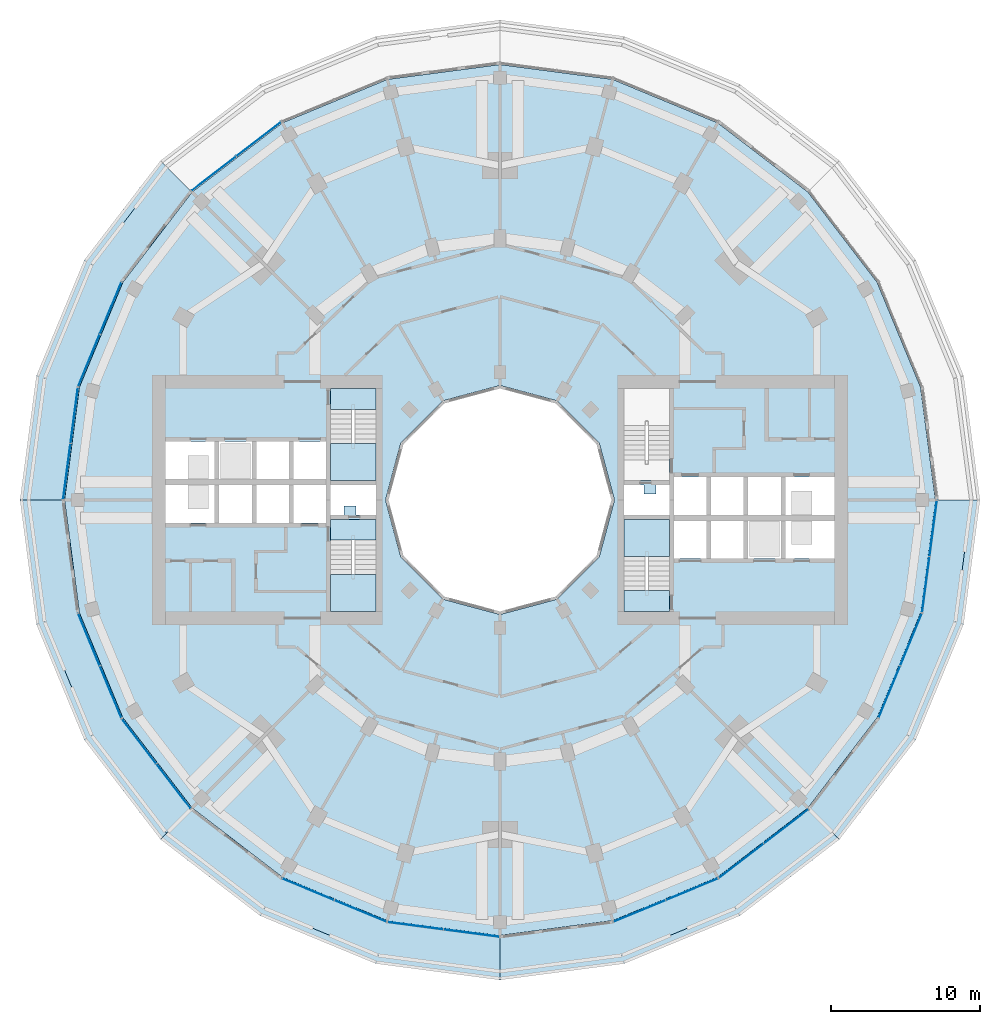
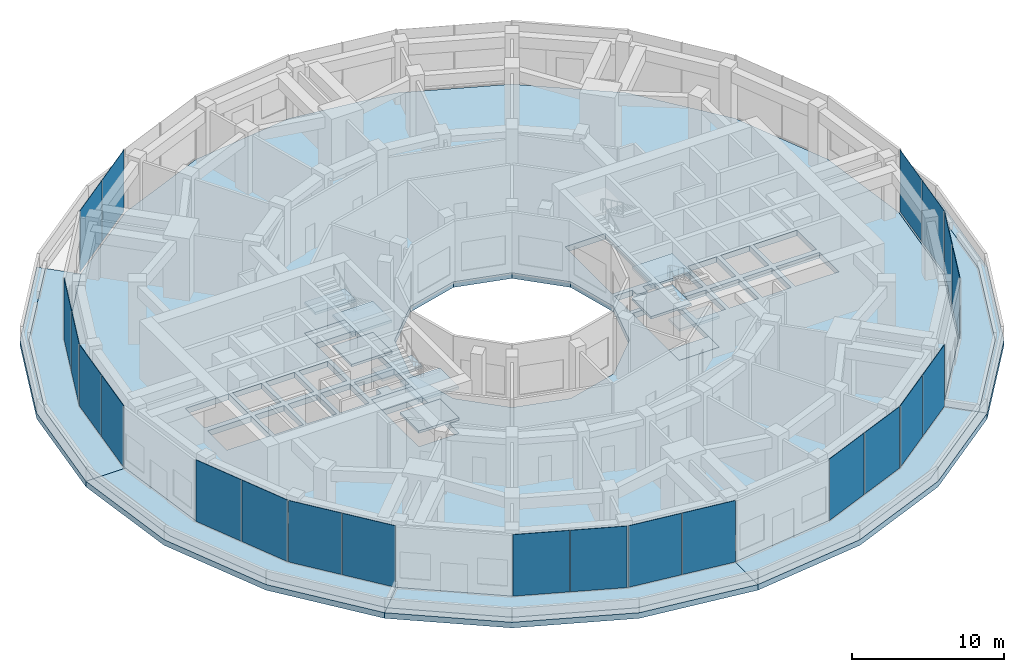
# One storey, part 10 of 19: 23 slabs, 22 plates, 14 elements without a shape of their own.
"""IFC4 building model written with IfcOpenShell, lengths in metres."""

from ifc_helpers import new_model, si_unit, direction, frame, origin, origin_2d, place, context, subcontext, project, spatial, polyline, rectangle, outline, extrude, material, layer, layer_set, type_object, element, aggregate, save


model = new_model("IFC4")

# Units and contexts
model_context = context("Model", 3, precision=1e-05, world=origin(), true_north=direction((0.0, 1.0)))
body_context = subcontext(model_context, "Body", "Model", "MODEL_VIEW")
ifc_project = project(units=[si_unit("LENGTHUNIT", "METRE"), si_unit("AREAUNIT", "SQUARE_METRE"), si_unit("VOLUMEUNIT", "CUBIC_METRE"), si_unit("PLANEANGLEUNIT", "RADIAN"), si_unit("MASSUNIT", "GRAM", prefix="KILO")], contexts=[model_context])

# Site, building, storey
site_placement = place(None, origin())
site = spatial("IfcSite", under=ifc_project, at=site_placement, CompositionType="ELEMENT")
building_placement = place(site_placement, origin())
building = spatial("IfcBuilding", under=site, at=building_placement, Name="Torre Brocal", CompositionType="ELEMENT")
storey_placement = place(building_placement, frame((0.0, 0.0, 23.800048828125)))
storey = spatial("IfcBuildingStorey", under=building, at=storey_placement, Name="L04", CompositionType="ELEMENT", Elevation=23.800048828125)

# Curtain wall, plates
ifc_material_1 = material(Name="Aluminium and glass", Category="aluminium")
ifc_layer_1 = layer(ifc_material_1, 0.199951171875)
ifc_layer_set_1 = layer_set([ifc_layer_1], Name="Aluminium and glass")
curtain_wall_type = type_object("IfcCurtainWallType", Name="CW-6 CURTAIN WALL 5000 HIGH", PredefinedType="NOTDEFINED", material=ifc_layer_set_1)
curtain_wall_1_placement = place(storey_placement, origin())
curtain_wall_1 = element("IfcCurtainWall", 1, at=curtain_wall_1_placement, inside=storey, type_object=curtain_wall_type, Name="CW-6 RUN 9", PredefinedType="NOTDEFINED")
ifc_material_2 = material(Name="Glass, dark tinted laminated", Category="glass")
ifc_layer_2 = layer(ifc_material_2, 0.028076171875)
ifc_layer_set_2 = layer_set([ifc_layer_2], Name="Glass, dark tinted laminated")
plate_type = type_object("IfcPlateType", Name="CW-6 GLASS PANEL 28", PredefinedType="CURTAIN_PANEL", material=ifc_layer_set_2)
plate_1_placement = place(storey_placement, frame((63.768310546875, 99.28466796875, 0.06982421875), z_axis=(0.0, 0.0, 1.0), x_axis=(-0.793353340291, -0.608761429009, 0.0)))
plate_1 = element("IfcPlate", 2, at=plate_1_placement, type_object=plate_type, Name="CW6-3 panel 1.1", PredefinedType="CURTAIN_PANEL", context=body_context, shape_type="SweptSolid", body=[
    extrude(rectangle(XDim=3.762451171875, YDim=0.028076171875, at=origin_2d()), origin(), (0.0, 0.0, 1.0), 4.929931640625),
])
plate_2_placement = place(storey_placement, frame((60.743896484375, 96.9638671875, 0.06982421875), z_axis=(0.0, 0.0, 1.0), x_axis=(-0.793353340291, -0.608761429009, 0.0)))
plate_2 = element("IfcPlate", 3, at=plate_2_placement, type_object=plate_type, Name="CW6-3 panel 2.1", PredefinedType="CURTAIN_PANEL", context=body_context, shape_type="SweptSolid", body=[
    extrude(rectangle(XDim=3.762451171875, YDim=0.028076171875, at=origin_2d()), origin(), (0.0, 0.0, 1.0), 4.929931640625),
])
aggregate(curtain_wall_1, [plate_1, plate_2])

curtain_wall_2_placement = place(storey_placement, origin())
curtain_wall_2 = element("IfcCurtainWall", 4, at=curtain_wall_2_placement, inside=storey, type_object=curtain_wall_type, Name="CW-6 RUN 11", PredefinedType="NOTDEFINED")
plate_3_placement = place(storey_placement, frame((53.800537109375, 87.915283203125, 0.06982421875), z_axis=(0.0, 0.0, 1.0), x_axis=(-0.382683432365, -0.923879532511, 0.0)))
plate_3 = element("IfcPlate", 5, at=plate_3_placement, type_object=plate_type, Name="CW6-3 panel 1.1", PredefinedType="CURTAIN_PANEL", context=body_context, shape_type="SweptSolid", body=[
    extrude(rectangle(XDim=3.762451171875, YDim=0.028076171875, at=origin_2d()), origin(), (0.0, 0.0, 1.0), 4.929931640625),
])
plate_4_placement = place(storey_placement, frame((52.341552734375, 84.393310546875, 0.06982421875), z_axis=(0.0, 0.0, 1.0), x_axis=(-0.382683432365, -0.923879532511, 0.0)))
plate_4 = element("IfcPlate", 6, at=plate_4_placement, type_object=plate_type, Name="CW6-3 panel 2.1", PredefinedType="CURTAIN_PANEL", context=body_context, shape_type="SweptSolid", body=[
    extrude(rectangle(XDim=3.762451171875, YDim=0.028076171875, at=origin_2d()), origin(), (0.0, 0.0, 1.0), 4.929931640625),
])
aggregate(curtain_wall_2, [plate_3, plate_4])

curtain_wall_3_placement = place(storey_placement, origin())
curtain_wall_3 = element("IfcCurtainWall", 7, at=curtain_wall_3_placement, inside=storey, type_object=curtain_wall_type, Name="CW-6 RUN 12", PredefinedType="NOTDEFINED")
plate_5_placement = place(storey_placement, frame((51.3505859375, 80.6943359375, 0.06982421875), z_axis=(0.0, 0.0, 1.0), x_axis=(-0.130526192272, -0.991444861367, 0.0)))
plate_5 = element("IfcPlate", 8, at=plate_5_placement, type_object=plate_type, Name="CW6-3 panel 1.1", PredefinedType="CURTAIN_PANEL", context=body_context, shape_type="SweptSolid", body=[
    extrude(rectangle(XDim=3.762451171875, YDim=0.028076171875, at=origin_2d()), origin(), (0.0, 0.0, 1.0), 4.929931640625),
])
plate_6_placement = place(storey_placement, frame((50.85302734375, 76.91455078125, 0.06982421875), z_axis=(0.0, 0.0, 1.0), x_axis=(-0.130526192272, -0.991444861367, 0.0)))
plate_6 = element("IfcPlate", 9, at=plate_6_placement, type_object=plate_type, Name="CW6-3 panel 2.1", PredefinedType="CURTAIN_PANEL", context=body_context, shape_type="SweptSolid", body=[
    extrude(rectangle(XDim=3.762451171875, YDim=0.028076171875, at=origin_2d()), origin(), (0.0, 0.0, 1.0), 4.929931640625),
])
aggregate(curtain_wall_3, [plate_5, plate_6])

curtain_wall_4_placement = place(storey_placement, origin())
curtain_wall_4 = element("IfcCurtainWall", 10, at=curtain_wall_4_placement, inside=storey, type_object=curtain_wall_type, Name="CW-6 RUN 14", PredefinedType="NOTDEFINED")
plate_7_placement = place(storey_placement, frame((52.341552734375, 65.606689453125, 0.06982421875), z_axis=(0.0, 0.0, 1.0), x_axis=(0.382683432365, -0.923879532511, 0.0)))
plate_7 = element("IfcPlate", 11, at=plate_7_placement, type_object=plate_type, Name="CW6-3 panel 1.1", PredefinedType="CURTAIN_PANEL", context=body_context, shape_type="SweptSolid", body=[
    extrude(rectangle(XDim=3.762451171875, YDim=0.028076171875, at=origin_2d()), origin(), (0.0, 0.0, 1.0), 4.929931640625),
])
plate_8_placement = place(storey_placement, frame((53.800537109375, 62.084716796875, 0.06982421875), z_axis=(0.0, 0.0, 1.0), x_axis=(0.382683432365, -0.923879532511, 0.0)))
plate_8 = element("IfcPlate", 12, at=plate_8_placement, type_object=plate_type, Name="CW6-3 panel 2.1", PredefinedType="CURTAIN_PANEL", context=body_context, shape_type="SweptSolid", body=[
    extrude(rectangle(XDim=3.762451171875, YDim=0.028076171875, at=origin_2d()), origin(), (0.0, 0.0, 1.0), 4.929931640625),
])
aggregate(curtain_wall_4, [plate_7, plate_8])

curtain_wall_5_placement = place(storey_placement, origin())
curtain_wall_5 = element("IfcCurtainWall", 13, at=curtain_wall_5_placement, inside=storey, type_object=curtain_wall_type, Name="CW-6 RUN 15", PredefinedType="NOTDEFINED")
plate_9_placement = place(storey_placement, frame((55.71533203125, 58.768310546875, 0.06982421875), z_axis=(0.0, 0.0, 1.0), x_axis=(0.608761429009, -0.793353340291, 0.0)))
plate_9 = element("IfcPlate", 14, at=plate_9_placement, type_object=plate_type, Name="CW6-3 panel 1.1", PredefinedType="CURTAIN_PANEL", context=body_context, shape_type="SweptSolid", body=[
    extrude(rectangle(XDim=3.762451171875, YDim=0.028076171875, at=origin_2d()), origin(), (0.0, 0.0, 1.0), 4.929931640625),
])
plate_10_placement = place(storey_placement, frame((58.0361328125, 55.743896484375, 0.06982421875), z_axis=(0.0, 0.0, 1.0), x_axis=(0.608761429009, -0.793353340291, 0.0)))
plate_10 = element("IfcPlate", 15, at=plate_10_placement, type_object=plate_type, Name="CW6-3 panel 2.1", PredefinedType="CURTAIN_PANEL", context=body_context, shape_type="SweptSolid", body=[
    extrude(rectangle(XDim=3.762451171875, YDim=0.028076171875, at=origin_2d()), origin(), (0.0, 0.0, 1.0), 4.929931640625),
])
aggregate(curtain_wall_5, [plate_9, plate_10])

curtain_wall_6_placement = place(storey_placement, origin())
curtain_wall_6 = element("IfcCurtainWall", 16, at=curtain_wall_6_placement, inside=storey, type_object=curtain_wall_type, Name="CW-6 RUN 17", PredefinedType="NOTDEFINED")
plate_11_placement = place(storey_placement, frame((67.084716796875, 48.800537109375, 0.06982421875), z_axis=(0.0, 0.0, 1.0), x_axis=(0.923879532511, -0.382683432365, 0.0)))
plate_11 = element("IfcPlate", 17, at=plate_11_placement, type_object=plate_type, Name="CW6-3 panel 1.1", PredefinedType="CURTAIN_PANEL", context=body_context, shape_type="SweptSolid", body=[
    extrude(rectangle(XDim=3.762451171875, YDim=0.028076171875, at=origin_2d()), origin(), (0.0, 0.0, 1.0), 4.929931640625),
])
plate_12_placement = place(storey_placement, frame((70.606689453125, 47.341552734375, 0.06982421875), z_axis=(0.0, 0.0, 1.0), x_axis=(0.923879532511, -0.382683432365, 0.0)))
plate_12 = element("IfcPlate", 18, at=plate_12_placement, type_object=plate_type, Name="CW6-3 panel 2.1", PredefinedType="CURTAIN_PANEL", context=body_context, shape_type="SweptSolid", body=[
    extrude(rectangle(XDim=3.762451171875, YDim=0.028076171875, at=origin_2d()), origin(), (0.0, 0.0, 1.0), 4.929931640625),
])
aggregate(curtain_wall_6, [plate_11, plate_12])

curtain_wall_7_placement = place(storey_placement, origin())
curtain_wall_7 = element("IfcCurtainWall", 19, at=curtain_wall_7_placement, inside=storey, type_object=curtain_wall_type, Name="CW-6 RUN 18", PredefinedType="NOTDEFINED")
plate_13_placement = place(storey_placement, frame((74.3056640625, 46.3505859375, 0.06982421875), z_axis=(0.0, 0.0, 1.0), x_axis=(0.991444861367, -0.130526192272, 0.0)))
plate_13 = element("IfcPlate", 20, at=plate_13_placement, type_object=plate_type, Name="CW6-3 panel 1.1", PredefinedType="CURTAIN_PANEL", context=body_context, shape_type="SweptSolid", body=[
    extrude(rectangle(XDim=3.762451171875, YDim=0.028076171875, at=origin_2d()), origin(), (0.0, 0.0, 1.0), 4.929931640625),
])
plate_14_placement = place(storey_placement, frame((78.08544921875, 45.85302734375, 0.06982421875), z_axis=(0.0, 0.0, 1.0), x_axis=(0.991444861367, -0.130526192272, 0.0)))
plate_14 = element("IfcPlate", 21, at=plate_14_placement, type_object=plate_type, Name="CW6-3 panel 2.1", PredefinedType="CURTAIN_PANEL", context=body_context, shape_type="SweptSolid", body=[
    extrude(rectangle(XDim=3.762451171875, YDim=0.028076171875, at=origin_2d()), origin(), (0.0, 0.0, 1.0), 4.929931640625),
])
aggregate(curtain_wall_7, [plate_13, plate_14])

curtain_wall_8_placement = place(storey_placement, origin())
curtain_wall_8 = element("IfcCurtainWall", 22, at=curtain_wall_8_placement, inside=storey, type_object=curtain_wall_type, Name="CW-6 RUN 20", PredefinedType="NOTDEFINED")
plate_15_placement = place(storey_placement, frame((89.393310546875, 47.341552734375, 0.06982421875), z_axis=(0.0, 0.0, 1.0), x_axis=(0.923879532511, 0.382683432365, 0.0)))
plate_15 = element("IfcPlate", 23, at=plate_15_placement, type_object=plate_type, Name="CW6-3 panel 1.1", PredefinedType="CURTAIN_PANEL", context=body_context, shape_type="SweptSolid", body=[
    extrude(rectangle(XDim=3.762451171875, YDim=0.028076171875, at=origin_2d()), origin(), (0.0, 0.0, 1.0), 4.929931640625),
])
plate_16_placement = place(storey_placement, frame((92.915283203125, 48.800537109375, 0.06982421875), z_axis=(0.0, 0.0, 1.0), x_axis=(0.923879532511, 0.382683432365, 0.0)))
plate_16 = element("IfcPlate", 24, at=plate_16_placement, type_object=plate_type, Name="CW6-3 panel 2.1", PredefinedType="CURTAIN_PANEL", context=body_context, shape_type="SweptSolid", body=[
    extrude(rectangle(XDim=3.762451171875, YDim=0.028076171875, at=origin_2d()), origin(), (0.0, 0.0, 1.0), 4.929931640625),
])
aggregate(curtain_wall_8, [plate_15, plate_16])

curtain_wall_9_placement = place(storey_placement, origin())
curtain_wall_9 = element("IfcCurtainWall", 25, at=curtain_wall_9_placement, inside=storey, type_object=curtain_wall_type, Name="CW-6 RUN 21", PredefinedType="NOTDEFINED")
plate_17_placement = place(storey_placement, frame((96.231689453125, 50.71533203125, 0.06982421875), z_axis=(0.0, 0.0, 1.0), x_axis=(0.793353340291, 0.608761429009, 0.0)))
plate_17 = element("IfcPlate", 26, at=plate_17_placement, type_object=plate_type, Name="CW6-3 panel 1.1", PredefinedType="CURTAIN_PANEL", context=body_context, shape_type="SweptSolid", body=[
    extrude(rectangle(XDim=3.762451171875, YDim=0.028076171875, at=origin_2d()), origin(), (0.0, 0.0, 1.0), 4.929931640625),
])
plate_18_placement = place(storey_placement, frame((99.256103515625, 53.0361328125, 0.06982421875), z_axis=(0.0, 0.0, 1.0), x_axis=(0.793353340291, 0.608761429009, 0.0)))
plate_18 = element("IfcPlate", 27, at=plate_18_placement, type_object=plate_type, Name="CW6-3 panel 2.1", PredefinedType="CURTAIN_PANEL", context=body_context, shape_type="SweptSolid", body=[
    extrude(rectangle(XDim=3.762451171875, YDim=0.028076171875, at=origin_2d()), origin(), (0.0, 0.0, 1.0), 4.929931640625),
])
aggregate(curtain_wall_9, [plate_17, plate_18])

curtain_wall_10_placement = place(storey_placement, origin())
curtain_wall_10 = element("IfcCurtainWall", 28, at=curtain_wall_10_placement, inside=storey, type_object=curtain_wall_type, Name="CW-6 RUN 23", PredefinedType="NOTDEFINED")
plate_19_placement = place(storey_placement, frame((106.199462890625, 62.084716796875, 0.06982421875), z_axis=(0.0, 0.0, 1.0), x_axis=(0.382683432365, 0.923879532511, 0.0)))
plate_19 = element("IfcPlate", 29, at=plate_19_placement, type_object=plate_type, Name="CW6-3 panel 1.1", PredefinedType="CURTAIN_PANEL", context=body_context, shape_type="SweptSolid", body=[
    extrude(rectangle(XDim=3.762451171875, YDim=0.028076171875, at=origin_2d()), origin(), (0.0, 0.0, 1.0), 4.929931640625),
])
plate_20_placement = place(storey_placement, frame((107.658447265625, 65.606689453125, 0.06982421875), z_axis=(0.0, 0.0, 1.0), x_axis=(0.382683432365, 0.923879532511, 0.0)))
plate_20 = element("IfcPlate", 30, at=plate_20_placement, type_object=plate_type, Name="CW6-3 panel 2.1", PredefinedType="CURTAIN_PANEL", context=body_context, shape_type="SweptSolid", body=[
    extrude(rectangle(XDim=3.762451171875, YDim=0.028076171875, at=origin_2d()), origin(), (0.0, 0.0, 1.0), 4.929931640625),
])
aggregate(curtain_wall_10, [plate_19, plate_20])

curtain_wall_11_placement = place(storey_placement, origin())
curtain_wall_11 = element("IfcCurtainWall", 31, at=curtain_wall_11_placement, inside=storey, type_object=curtain_wall_type, Name="CW-6 RUN 24", PredefinedType="NOTDEFINED")
plate_21_placement = place(storey_placement, frame((108.6494140625, 69.3056640625, 0.06982421875), z_axis=(0.0, 0.0, 1.0), x_axis=(0.130526192272, 0.991444861367, 0.0)))
plate_21 = element("IfcPlate", 32, at=plate_21_placement, type_object=plate_type, Name="CW6-3 panel 1.1", PredefinedType="CURTAIN_PANEL", context=body_context, shape_type="SweptSolid", body=[
    extrude(rectangle(XDim=3.762451171875, YDim=0.028076171875, at=origin_2d()), origin(), (0.0, 0.0, 1.0), 4.929931640625),
])
plate_22_placement = place(storey_placement, frame((109.14697265625, 73.08544921875, 0.06982421875), z_axis=(0.0, 0.0, 1.0), x_axis=(0.130526192272, 0.991444861367, 0.0)))
plate_22 = element("IfcPlate", 33, at=plate_22_placement, type_object=plate_type, Name="CW6-3 panel 2.1", PredefinedType="CURTAIN_PANEL", context=body_context, shape_type="SweptSolid", body=[
    extrude(rectangle(XDim=3.762451171875, YDim=0.028076171875, at=origin_2d()), origin(), (0.0, 0.0, 1.0), 4.929931640625),
])
aggregate(curtain_wall_11, [plate_21, plate_22])

# Stair, slab
ifc_material_3 = material(Name="Concrete C50", Category="concrete")
stair_type = type_object("IfcStairType", Name="EXIT STAIR", PredefinedType="HALF_TURN_STAIR", material=ifc_material_3)
stair_1_placement = place(storey_placement, origin())
stair_1 = element("IfcStair", 34, at=stair_1_placement, inside=storey, type_object=stair_type, Name="EXIT STAIR ST2", PredefinedType="HALF_TURN_STAIR")
ifc_material_4 = material(Name="Concrete C50", Category="concrete")
ifc_layer_3 = layer(ifc_material_4, 0.449951171875)
ifc_layer_set_3 = layer_set([ifc_layer_3], Name="Concrete C50")
slab_type_1 = type_object("IfcSlabType", Name="FLOOR LANDING 450", PredefinedType="LANDING", material=ifc_layer_set_3)
slab_1_placement = place(storey_placement, frame((0.0, 0.0, -0.449951171875)))
slab_1 = element("IfcSlab", 35, at=slab_1_placement, type_object=slab_type_1, Name="ST2 landing 1", PredefinedType="LANDING", context=body_context, shape_type="SweptSolid", body=[
    extrude(outline(polyline([(88.35009765625, 67.5), (91.39990234375, 67.5), (91.39990234375, 68.89990234375), (88.35009765625, 68.89990234375), (88.35009765625, 67.5)])), origin(), (0.0, 0.0, 1.0), 0.449951171875),
])

stair_2_placement = place(storey_placement, origin())
stair_2 = element("IfcStair", 36, at=stair_2_placement, inside=storey, type_object=stair_type, Name="EXIT STAIR ST3", PredefinedType="HALF_TURN_STAIR")
slab_2_placement = place(storey_placement, frame((0.0, 0.0, -0.449951171875)))
slab_2 = element("IfcSlab", 37, at=slab_2_placement, type_object=slab_type_1, Name="ST3 landing 1", PredefinedType="LANDING", context=body_context, shape_type="SweptSolid", body=[
    extrude(outline(polyline([(71.64990234375, 73.699951171875), (68.60009765625, 73.699951171875), (68.60009765625, 72.300048828125), (71.64990234375, 72.300048828125), (71.64990234375, 73.699951171875)])), origin(), (0.0, 0.0, 1.0), 0.449951171875),
])

stair_3_placement = place(storey_placement, origin())
stair_3 = element("IfcStair", 38, at=stair_3_placement, inside=storey, type_object=stair_type, Name="EXIT STAIR ST4", PredefinedType="HALF_TURN_STAIR")
slab_3_placement = place(storey_placement, frame((0.0, 0.0, -0.449951171875)))
slab_3 = element("IfcSlab", 39, at=slab_3_placement, type_object=slab_type_1, Name="ST4 landing 1", PredefinedType="LANDING", context=body_context, shape_type="SweptSolid", body=[
    extrude(outline(polyline([(71.64990234375, 82.5), (68.60009765625, 82.5), (68.60009765625, 81.10009765625), (71.64990234375, 81.10009765625), (71.64990234375, 82.5)])), origin(), (0.0, 0.0, 1.0), 0.449951171875),
])

# Slabs
ifc_material_5 = material(Name="Concrete C45", Category="concrete")
ifc_layer_4 = layer(ifc_material_5, 0.449951171875)
ifc_layer_set_4 = layer_set([ifc_layer_4], Name="Concrete C45")
slab_type_2 = type_object("IfcSlabType", Name="GREEN ROOF PLANTING BED SLAB 450 C45", PredefinedType="ROOF", material=ifc_layer_set_4)
slab_4_placement = place(storey_placement, frame((0.0, 0.0, -0.449951171875)))
element("IfcSlab", 40, at=slab_4_placement, inside=storey, type_object=slab_type_2, Name="Slab ST-04", PredefinedType="ROOF", context=body_context, shape_type="SweptSolid", body=[
    extrude(outline(polyline([(57.16162109375, 97.83837890625), (57.5712890625, 97.4287109375), (52.530517578125, 90.859375), (49.36181640625, 83.20947265625), (48.281005859375, 75.0), (47.70166015625, 75.0), (48.80224609375, 83.359375), (52.02880859375, 91.149169921875), (57.16162109375, 97.83837890625)])), origin(), (0.0, 0.0, 1.0), 0.449951171875),
])
slab_5_placement = place(storey_placement, frame((0.0, 0.0, -0.449951171875)))
element("IfcSlab", 41, at=slab_5_placement, inside=storey, type_object=slab_type_2, Name="Slab ST-04", PredefinedType="ROOF", context=body_context, shape_type="SweptSolid", body=[
    extrude(outline(polyline([(47.70166015625, 75.0), (48.281005859375, 75.0), (49.36181640625, 66.79052734375), (52.530517578125, 59.140625), (57.5712890625, 52.5712890625), (57.16162109375, 52.16162109375), (52.02880859375, 58.850830078125), (48.80224609375, 66.640625), (47.70166015625, 75.0)])), origin(), (0.0, 0.0, 1.0), 0.449951171875),
])
slab_6_placement = place(storey_placement, frame((0.0, 0.0, -0.449951171875)))
element("IfcSlab", 42, at=slab_6_placement, inside=storey, type_object=slab_type_2, Name="Slab ST-04", PredefinedType="ROOF", context=body_context, shape_type="SweptSolid", body=[
    extrude(outline(polyline([(57.16162109375, 52.16162109375), (57.5712890625, 52.5712890625), (64.140625, 47.530517578125), (71.79052734375, 44.36181640625), (80.0, 43.281005859375), (80.0, 42.70166015625), (71.640625, 43.80224609375), (63.850830078125, 47.02880859375), (57.16162109375, 52.16162109375)])), origin(), (0.0, 0.0, 1.0), 0.449951171875),
])
slab_7_placement = place(storey_placement, frame((0.0, 0.0, -0.449951171875)))
element("IfcSlab", 43, at=slab_7_placement, inside=storey, type_object=slab_type_2, Name="Slab ST-04", PredefinedType="ROOF", context=body_context, shape_type="SweptSolid", body=[
    extrude(outline(polyline([(80.0, 42.70166015625), (80.0, 43.281005859375), (88.20947265625, 44.36181640625), (95.859375, 47.530517578125), (102.4287109375, 52.5712890625), (102.83837890625, 52.16162109375), (96.149169921875, 47.02880859375), (88.359375, 43.80224609375), (80.0, 42.70166015625)])), origin(), (0.0, 0.0, 1.0), 0.449951171875),
])
slab_8_placement = place(storey_placement, frame((0.0, 0.0, -0.449951171875)))
element("IfcSlab", 44, at=slab_8_placement, inside=storey, type_object=slab_type_2, Name="Slab ST-04", PredefinedType="ROOF", context=body_context, shape_type="SweptSolid", body=[
    extrude(outline(polyline([(107.469482421875, 59.140625), (110.63818359375, 66.79052734375), (111.718994140625, 75.0), (112.29833984375, 75.0), (111.19775390625, 66.640625), (107.97119140625, 58.850830078125), (102.83837890625, 52.16162109375), (102.4287109375, 52.5712890625), (107.469482421875, 59.140625)])), origin(), (0.0, 0.0, 1.0), 0.449951171875),
])

# Slab
ifc_material_6 = material(Name="Concrete C50", Category="concrete")
ifc_layer_5 = layer(ifc_material_6, 0.199951171875)
ifc_layer_set_5 = layer_set([ifc_layer_5], Name="Concrete C50")
slab_type_3 = type_object("IfcSlabType", Name="MID LANDING +1250", PredefinedType="LANDING", material=ifc_layer_set_5)
slab_9_placement = place(storey_placement, frame((0.0, 0.0, 1.050048828125)))
slab_9 = element("IfcSlab", 45, at=slab_9_placement, type_object=slab_type_3, Name="ST2 landing 2", PredefinedType="LANDING", context=body_context, shape_type="SweptSolid", body=[
    extrude(outline(polyline([(88.35009765625, 71.2099609375), (91.39990234375, 71.2099609375), (91.39990234375, 73.699951171875), (88.35009765625, 73.699951171875), (88.35009765625, 71.2099609375)])), origin(), (0.0, 0.0, 1.0), 0.199951171875),
])

slab_10_placement = place(storey_placement, frame((0.0, 0.0, 1.050048828125)))
slab_10 = element("IfcSlab", 46, at=slab_10_placement, type_object=slab_type_3, Name="ST3 landing 2", PredefinedType="LANDING", context=body_context, shape_type="SweptSolid", body=[
    extrude(outline(polyline([(71.64990234375, 69.989990234375), (68.60009765625, 69.989990234375), (68.60009765625, 67.5), (71.64990234375, 67.5), (71.64990234375, 69.989990234375)])), origin(), (0.0, 0.0, 1.0), 0.199951171875),
])

slab_11_placement = place(storey_placement, frame((0.0, 0.0, 1.050048828125)))
slab_11 = element("IfcSlab", 47, at=slab_11_placement, type_object=slab_type_3, Name="ST4 landing 2", PredefinedType="LANDING", context=body_context, shape_type="SweptSolid", body=[
    extrude(outline(polyline([(71.64990234375, 78.7900390625), (68.60009765625, 78.7900390625), (68.60009765625, 76.300048828125), (71.64990234375, 76.300048828125), (71.64990234375, 78.7900390625)])), origin(), (0.0, 0.0, 1.0), 0.199951171875),
])

ifc_material_7 = material(Name="Concrete C50", Category="concrete")
ifc_layer_6 = layer(ifc_material_7, 0.199951171875)
ifc_layer_set_6 = layer_set([ifc_layer_6], Name="Concrete C50")
slab_type_4 = type_object("IfcSlabType", Name="MID LANDING +2500", PredefinedType="LANDING", material=ifc_layer_set_6)
slab_12_placement = place(storey_placement, frame((0.0, 0.0, 2.300048828125)))
slab_12 = element("IfcSlab", 48, at=slab_12_placement, type_object=slab_type_4, Name="ST2 landing 3", PredefinedType="LANDING", context=body_context, shape_type="SweptSolid", body=[
    extrude(outline(polyline([(88.35009765625, 67.5), (91.39990234375, 67.5), (91.39990234375, 68.89990234375), (88.35009765625, 68.89990234375), (88.35009765625, 67.5)])), origin(), (0.0, 0.0, 1.0), 0.199951171875),
])

slab_13_placement = place(storey_placement, frame((0.0, 0.0, 2.300048828125)))
slab_13 = element("IfcSlab", 49, at=slab_13_placement, type_object=slab_type_4, Name="ST3 landing 3", PredefinedType="LANDING", context=body_context, shape_type="SweptSolid", body=[
    extrude(outline(polyline([(71.64990234375, 73.699951171875), (68.60009765625, 73.699951171875), (68.60009765625, 72.300048828125), (71.64990234375, 72.300048828125), (71.64990234375, 73.699951171875)])), origin(), (0.0, 0.0, 1.0), 0.199951171875),
])

slab_14_placement = place(storey_placement, frame((0.0, 0.0, 2.300048828125)))
slab_14 = element("IfcSlab", 50, at=slab_14_placement, type_object=slab_type_4, Name="ST4 landing 3", PredefinedType="LANDING", context=body_context, shape_type="SweptSolid", body=[
    extrude(outline(polyline([(71.64990234375, 82.5), (68.60009765625, 82.5), (68.60009765625, 81.10009765625), (71.64990234375, 81.10009765625), (71.64990234375, 82.5)])), origin(), (0.0, 0.0, 1.0), 0.199951171875),
])

ifc_material_8 = material(Name="Concrete C50", Category="concrete")
ifc_layer_7 = layer(ifc_material_8, 0.199951171875)
ifc_layer_set_7 = layer_set([ifc_layer_7], Name="Concrete C50")
slab_type_5 = type_object("IfcSlabType", Name="MID LANDING +3750", PredefinedType="LANDING", material=ifc_layer_set_7)
slab_15_placement = place(storey_placement, frame((0.0, 0.0, 3.550048828125)))
slab_15 = element("IfcSlab", 51, at=slab_15_placement, type_object=slab_type_5, Name="ST2 landing 4", PredefinedType="LANDING", context=body_context, shape_type="SweptSolid", body=[
    extrude(outline(polyline([(88.35009765625, 71.2099609375), (91.39990234375, 71.2099609375), (91.39990234375, 73.699951171875), (88.35009765625, 73.699951171875), (88.35009765625, 71.2099609375)])), origin(), (0.0, 0.0, 1.0), 0.199951171875),
])

aggregate(stair_1, [slab_1, slab_9, slab_12, slab_15])

slab_16_placement = place(storey_placement, frame((0.0, 0.0, 3.550048828125)))
slab_16 = element("IfcSlab", 52, at=slab_16_placement, type_object=slab_type_5, Name="ST3 landing 4", PredefinedType="LANDING", context=body_context, shape_type="SweptSolid", body=[
    extrude(outline(polyline([(71.64990234375, 69.989990234375), (68.60009765625, 69.989990234375), (68.60009765625, 67.5), (71.64990234375, 67.5), (71.64990234375, 69.989990234375)])), origin(), (0.0, 0.0, 1.0), 0.199951171875),
])

aggregate(stair_2, [slab_2, slab_10, slab_13, slab_16])

slab_17_placement = place(storey_placement, frame((0.0, 0.0, 3.550048828125)))
slab_17 = element("IfcSlab", 53, at=slab_17_placement, type_object=slab_type_5, Name="ST4 landing 4", PredefinedType="LANDING", context=body_context, shape_type="SweptSolid", body=[
    extrude(outline(polyline([(71.64990234375, 78.7900390625), (68.60009765625, 78.7900390625), (68.60009765625, 76.300048828125), (71.64990234375, 76.300048828125), (71.64990234375, 78.7900390625)])), origin(), (0.0, 0.0, 1.0), 0.199951171875),
])

aggregate(stair_3, [slab_3, slab_11, slab_14, slab_17])

# Slabs
ifc_material_9 = material(Name="Concrete C45", Category="concrete")
ifc_layer_8 = layer(ifc_material_9, 0.449951171875)
ifc_layer_set_8 = layer_set([ifc_layer_8], Name="Concrete C45")
slab_type_6 = type_object("IfcSlabType", Name="PT PODIUM SLAB 450 C45", PredefinedType="FLOOR", material=ifc_layer_set_8)
slab_18_placement = place(storey_placement, frame((0.0, 0.0, -0.449951171875)))
element("IfcSlab", 54, at=slab_18_placement, inside=storey, type_object=slab_type_6, Name="Slab ST-01", PredefinedType="FLOOR", context=body_context, shape_type="SweptSolid", body=[
    extrude(outline(polyline([(100.717041015625, 54.282958984375), (94.649169921875, 49.626953125), (87.5830078125, 46.699951171875), (80.0, 45.70166015625), (72.4169921875, 46.699951171875), (65.350830078125, 49.626953125), (59.282958984375, 54.282958984375), (54.626953125, 60.350830078125), (51.699951171875, 67.4169921875), (50.70166015625, 75.0), (51.699951171875, 82.5830078125), (54.626953125, 89.649169921875), (59.282958984375, 95.717041015625), (65.350830078125, 100.373046875), (72.4169921875, 103.300048828125), (80.0, 104.29833984375), (87.5830078125, 103.300048828125), (94.649169921875, 100.373046875), (100.717041015625, 95.717041015625), (105.373046875, 89.649169921875), (108.300048828125, 82.5830078125), (109.29833984375, 75.0), (108.300048828125, 67.4169921875), (105.373046875, 60.350830078125), (100.717041015625, 54.282958984375)]), holes=[polyline([(102.5, 74.0), (102.5, 76.550048828125), (99.199951171875, 76.550048828125), (99.199951171875, 74.0), (102.5, 74.0)]), polyline([(102.5, 71.050048828125), (102.5, 73.60009765625), (99.199951171875, 73.60009765625), (99.199951171875, 71.050048828125), (102.5, 71.050048828125)]), polyline([(98.89990234375, 76.550048828125), (96.699951171875, 76.550048828125), (96.699951171875, 74.0), (98.89990234375, 74.0), (98.89990234375, 76.550048828125)]), polyline([(98.89990234375, 71.050048828125), (98.89990234375, 73.60009765625), (96.699951171875, 73.60009765625), (96.699951171875, 71.050048828125), (98.89990234375, 71.050048828125)]), polyline([(96.39990234375, 73.60009765625), (94.199951171875, 73.60009765625), (94.199951171875, 71.050048828125), (96.39990234375, 71.050048828125), (96.39990234375, 73.60009765625)]), polyline([(96.39990234375, 74.0), (96.39990234375, 76.550048828125), (94.199951171875, 76.550048828125), (94.199951171875, 74.0), (96.39990234375, 74.0)]), polyline([(93.89990234375, 73.60009765625), (91.699951171875, 73.60009765625), (91.699951171875, 71.050048828125), (93.89990234375, 71.050048828125), (93.89990234375, 73.60009765625)]), polyline([(93.89990234375, 74.0), (93.89990234375, 76.550048828125), (91.699951171875, 76.550048828125), (91.699951171875, 74.0), (93.89990234375, 74.0)]), polyline([(91.39990234375, 76.300048828125), (91.39990234375, 82.5), (88.35009765625, 82.5), (88.35009765625, 76.300048828125), (91.39990234375, 76.300048828125)]), polyline([(91.39990234375, 73.699951171875), (88.35009765625, 73.699951171875), (88.35009765625, 67.5), (91.39990234375, 67.5), (91.39990234375, 73.699951171875)]), polyline([(89.699951171875, 76.0), (88.35009765625, 76.0), (88.35009765625, 74.0), (91.39990234375, 74.0), (91.39990234375, 76.0), (90.5, 76.0), (90.5, 75.39990234375), (89.699951171875, 75.39990234375), (89.699951171875, 76.0)]), polyline([(80.0, 82.70703125), (76.146484375, 81.674560546875), (73.325439453125, 78.853515625), (72.29296875, 75.0), (73.325439453125, 71.146484375), (76.146484375, 68.325439453125), (80.0, 67.29296875), (83.853515625, 68.325439453125), (86.674560546875, 71.146484375), (87.70703125, 75.0), (86.674560546875, 78.853515625), (83.853515625, 81.674560546875), (80.0, 82.70703125)]), polyline([(68.60009765625, 82.5), (68.60009765625, 76.300048828125), (71.64990234375, 76.300048828125), (71.64990234375, 82.5), (68.60009765625, 82.5)]), polyline([(70.300048828125, 74.0), (71.64990234375, 74.0), (71.64990234375, 76.0), (68.60009765625, 76.0), (68.60009765625, 74.0), (69.5, 74.0), (69.5, 74.60009765625), (70.300048828125, 74.60009765625), (70.300048828125, 74.0)]), polyline([(68.60009765625, 67.5), (71.64990234375, 67.5), (71.64990234375, 73.699951171875), (68.60009765625, 73.699951171875), (68.60009765625, 67.5)]), polyline([(66.10009765625, 78.949951171875), (66.10009765625, 76.39990234375), (68.300048828125, 76.39990234375), (68.300048828125, 78.949951171875), (66.10009765625, 78.949951171875)]), polyline([(66.10009765625, 76.0), (66.10009765625, 73.449951171875), (68.300048828125, 73.449951171875), (68.300048828125, 76.0), (66.10009765625, 76.0)]), polyline([(63.60009765625, 76.0), (63.60009765625, 73.449951171875), (65.800048828125, 73.449951171875), (65.800048828125, 76.0), (63.60009765625, 76.0)]), polyline([(63.60009765625, 76.39990234375), (65.800048828125, 76.39990234375), (65.800048828125, 78.949951171875), (63.60009765625, 78.949951171875), (63.60009765625, 76.39990234375)]), polyline([(61.10009765625, 78.949951171875), (61.10009765625, 76.39990234375), (63.300048828125, 76.39990234375), (63.300048828125, 78.949951171875), (61.10009765625, 78.949951171875)]), polyline([(61.10009765625, 73.449951171875), (63.300048828125, 73.449951171875), (63.300048828125, 76.0), (61.10009765625, 76.0), (61.10009765625, 73.449951171875)]), polyline([(57.5, 73.449951171875), (60.800048828125, 73.449951171875), (60.800048828125, 76.0), (57.5, 76.0), (57.5, 73.449951171875)]), polyline([(57.5, 78.949951171875), (57.5, 76.39990234375), (60.800048828125, 76.39990234375), (60.800048828125, 78.949951171875), (57.5, 78.949951171875)])]), origin(), (0.0, 0.0, 1.0), 0.449951171875),
])
ifc_material_10 = material(Name="Concrete C45", Category="concrete")
ifc_layer_9 = layer(ifc_material_10, 0.449951171875)
ifc_layer_set_9 = layer_set([ifc_layer_9], Name="Concrete C45")
slab_type_7 = type_object("IfcSlabType", Name="PT TERRACE SLAB 450 C45", PredefinedType="ROOF", material=ifc_layer_set_9)
slab_19_placement = place(storey_placement, frame((0.0, 0.0, -0.449951171875)))
element("IfcSlab", 55, at=slab_19_placement, inside=storey, type_object=slab_type_7, Name="Slab ST-03", PredefinedType="ROOF", context=body_context, shape_type="SweptSolid", body=[
    extrude(outline(polyline([(54.626953125, 89.649169921875), (51.699951171875, 82.5830078125), (50.70166015625, 75.0), (48.281005859375, 75.0), (49.36181640625, 83.20947265625), (52.530517578125, 90.859375), (57.5712890625, 97.4287109375), (59.282958984375, 95.717041015625), (54.626953125, 89.649169921875)])), origin(), (0.0, 0.0, 1.0), 0.449951171875),
])
slab_20_placement = place(storey_placement, frame((0.0, 0.0, -0.449951171875)))
element("IfcSlab", 56, at=slab_20_placement, inside=storey, type_object=slab_type_7, Name="Slab ST-03", PredefinedType="ROOF", context=body_context, shape_type="SweptSolid", body=[
    extrude(outline(polyline([(51.699951171875, 67.4169921875), (54.626953125, 60.350830078125), (59.282958984375, 54.282958984375), (57.5712890625, 52.5712890625), (52.530517578125, 59.140625), (49.36181640625, 66.79052734375), (48.281005859375, 75.0), (50.70166015625, 75.0), (51.699951171875, 67.4169921875)])), origin(), (0.0, 0.0, 1.0), 0.449951171875),
])
slab_21_placement = place(storey_placement, frame((0.0, 0.0, -0.449951171875)))
element("IfcSlab", 57, at=slab_21_placement, inside=storey, type_object=slab_type_7, Name="Slab ST-03", PredefinedType="ROOF", context=body_context, shape_type="SweptSolid", body=[
    extrude(outline(polyline([(65.350830078125, 49.626953125), (72.4169921875, 46.699951171875), (80.0, 45.70166015625), (80.0, 43.281005859375), (71.79052734375, 44.36181640625), (64.140625, 47.530517578125), (57.5712890625, 52.5712890625), (59.282958984375, 54.282958984375), (65.350830078125, 49.626953125)])), origin(), (0.0, 0.0, 1.0), 0.449951171875),
])
slab_22_placement = place(storey_placement, frame((0.0, 0.0, -0.449951171875)))
element("IfcSlab", 58, at=slab_22_placement, inside=storey, type_object=slab_type_7, Name="Slab ST-03", PredefinedType="ROOF", context=body_context, shape_type="SweptSolid", body=[
    extrude(outline(polyline([(87.5830078125, 46.699951171875), (94.649169921875, 49.626953125), (100.717041015625, 54.282958984375), (102.4287109375, 52.5712890625), (95.859375, 47.530517578125), (88.20947265625, 44.36181640625), (80.0, 43.281005859375), (80.0, 45.70166015625), (87.5830078125, 46.699951171875)])), origin(), (0.0, 0.0, 1.0), 0.449951171875),
])
slab_23_placement = place(storey_placement, frame((0.0, 0.0, -0.449951171875)))
element("IfcSlab", 59, at=slab_23_placement, inside=storey, type_object=slab_type_7, Name="Slab ST-03", PredefinedType="ROOF", context=body_context, shape_type="SweptSolid", body=[
    extrude(outline(polyline([(105.373046875, 60.350830078125), (108.300048828125, 67.4169921875), (109.29833984375, 75.0), (111.718994140625, 75.0), (110.63818359375, 66.79052734375), (107.469482421875, 59.140625), (102.4287109375, 52.5712890625), (100.717041015625, 54.282958984375), (105.373046875, 60.350830078125)])), origin(), (0.0, 0.0, 1.0), 0.449951171875),
])

save(model, "model.ifc")
